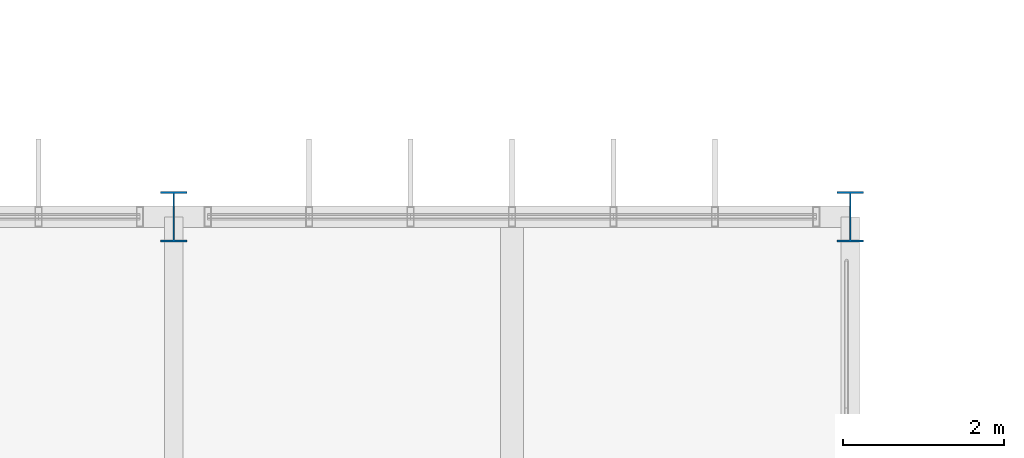
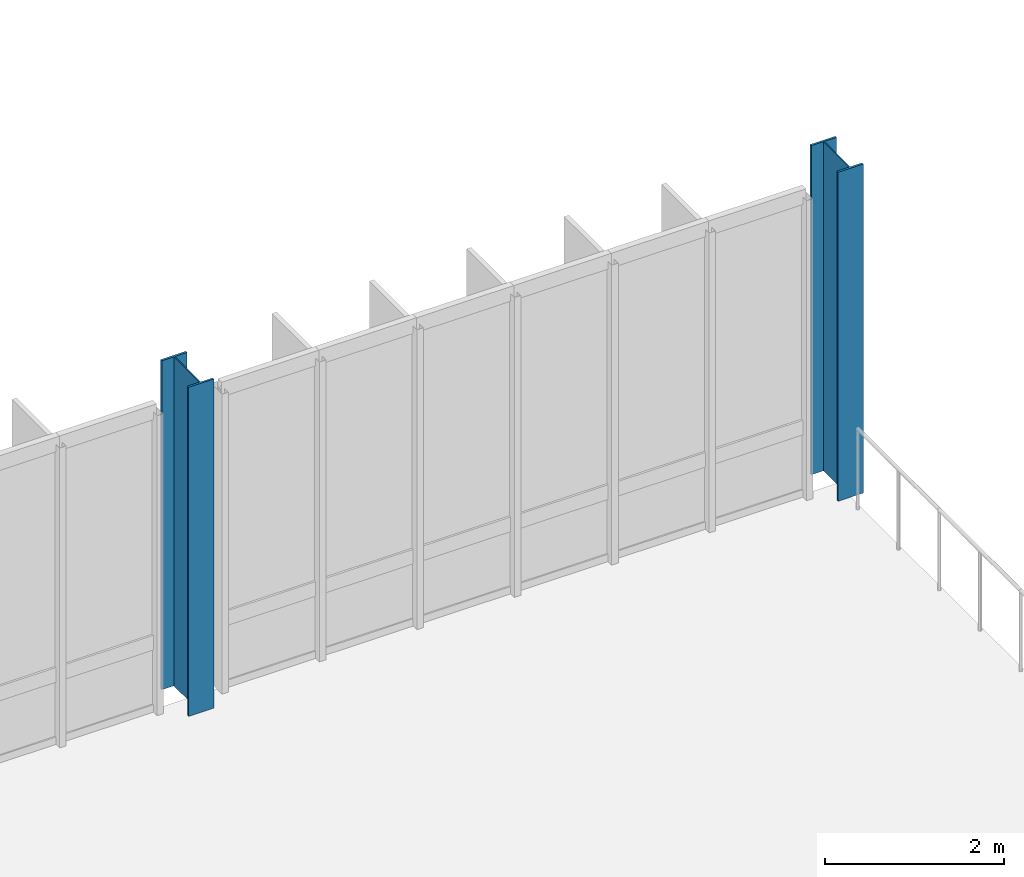
# One storey, part 18 of 139: 2 columns.
"""IFC4 building model written with IfcOpenShell, lengths in metres."""

from ifc_helpers import new_model, si_unit, derived_unit, direction, frame, origin, origin_2d, place, context, subcontext, project, spatial, i_section, extrude, material, material_profile, profile_set, type_object, element, save


model = new_model("IFC4")

# Units and contexts
model_context = context("Model", 3, precision=1e-05, world=origin(), true_north=direction((0.0, 1.0)))
body_context = subcontext(model_context, "Body", "Model", "MODEL_VIEW")
ifc_project = project(units=[si_unit("LENGTHUNIT", "METRE"), si_unit("AREAUNIT", "SQUARE_METRE"), si_unit("VOLUMEUNIT", "CUBIC_METRE"), si_unit("PLANEANGLEUNIT", "RADIAN"), si_unit("MASSUNIT", "GRAM", prefix="KILO"), derived_unit("THERMALTRANSMITTANCEUNIT", [(si_unit("MASSUNIT", "GRAM", prefix="KILO"), 1), (si_unit("TIMEUNIT", "SECOND"), -3), (si_unit("THERMODYNAMICTEMPERATUREUNIT", "KELVIN"), -1)])], contexts=[model_context])

# Site, building, storey
site_placement = place(None, origin())
site = spatial("IfcSite", under=ifc_project, at=site_placement, CompositionType="ELEMENT")
building_placement = place(site_placement, origin())
building = spatial("IfcBuilding", under=site, at=building_placement, Name="Makaiwela Harbour Ferry Terminal", CompositionType="ELEMENT")
storey_placement = place(building_placement, frame((0.0, 0.0, 5.10009765625)))
storey = spatial("IfcBuildingStorey", under=building, at=storey_placement, Name="L01", CompositionType="ELEMENT", Elevation=5.10009765625)

# Columns
ifc_material = material(Name="Steel ASTM A992 Grade 50", Category="steel")
ifc_material_profile = material_profile(ifc_material, i_section(OverallWidth=0.327880859375, OverallDepth=0.6279296875, WebThickness=0.0166015625, FlangeThickness=0.027587890625, at=origin_2d()), Name="W24X146")
ifc_profile_set = profile_set([ifc_material_profile], Name="Steel ASTM A992 Grade 50")
column_type = type_object("IfcColumnType", Name="STR-COL-W24X146", PredefinedType="COLUMN", material=ifc_profile_set)
for number, where, z_axis, x_axis, name in (
    (1, (130.199951171875, 103.39990234375, 0.0), (0.0, 0.0, 1.0), (1.0, 0.0, 0.0), "Structural Column C-01"),
    (2, (138.60009765625, 103.39990234375, 0.0), (0.0, 0.0, 1.0), (1.0, 0.0, 0.0), "Structural Column C-01"),
):
    element("IfcColumn", number, at=place(storey_placement, frame(where, z_axis=z_axis, x_axis=x_axis)), inside=storey, type_object=column_type, Name=name, PredefinedType="COLUMN", context=body_context, shape_type="SweptSolid", body=[
        extrude(i_section(OverallWidth=0.327880859375, OverallDepth=0.6279296875, WebThickness=0.0166015625, FlangeThickness=0.027587890625, at=origin_2d()), origin(), (0.0, 0.0, 1.0), 4.5),
    ])

save(model, "model.ifc")
